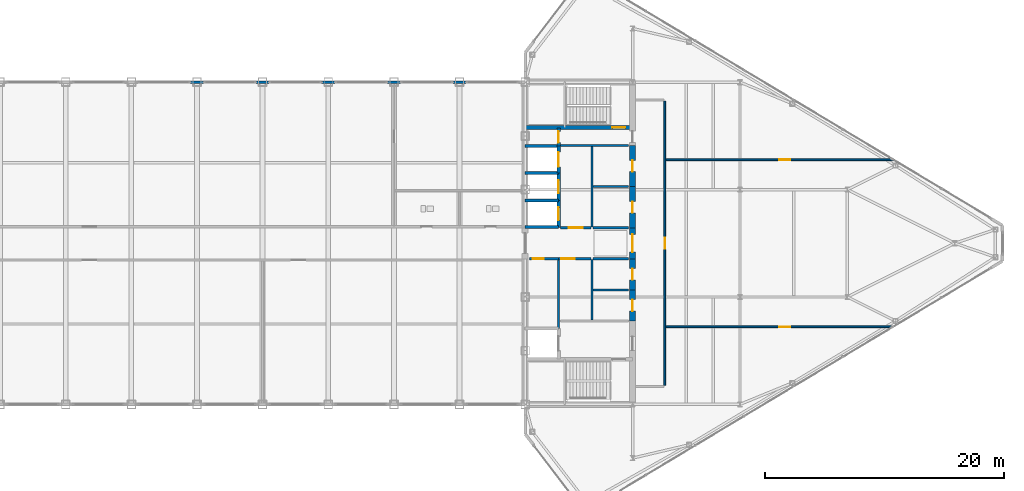
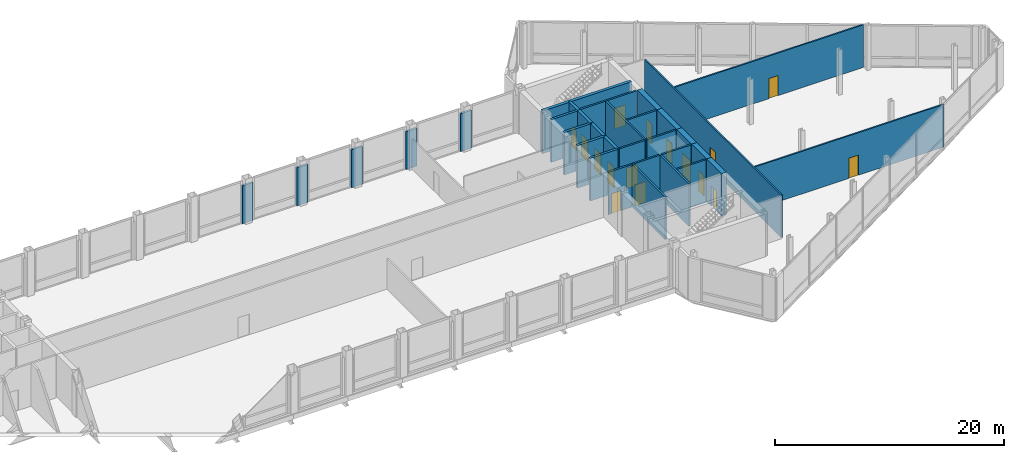
# One storey, part 25 of 29: 33 walls, 16 doors, 16 openings.
"""IFC4 building model written with IfcOpenShell, lengths in metres."""

from ifc_helpers import new_model, si_unit, direction, frame, frame_2d, origin, place, context, subcontext, project, spatial, rectangle, extrude, source, transform, mapped, material, layer, layer_set, type_object, type_shapes, element, fill, save


model = new_model("IFC4")

# Units and contexts
model_context = context("Model", 3, precision=1e-05, world=origin(), true_north=direction((0.0, 1.0)))
body_context = subcontext(model_context, "Body", "Model", "MODEL_VIEW")
ifc_project = project(units=[si_unit("LENGTHUNIT", "METRE"), si_unit("AREAUNIT", "SQUARE_METRE"), si_unit("VOLUMEUNIT", "CUBIC_METRE"), si_unit("PLANEANGLEUNIT", "RADIAN"), si_unit("MASSUNIT", "GRAM", prefix="KILO")], contexts=[model_context])

# Site, building, storey
site_placement = place(None, origin())
site = spatial("IfcSite", under=ifc_project, at=site_placement, CompositionType="ELEMENT")
building_placement = place(site_placement, origin())
building = spatial("IfcBuilding", under=site, at=building_placement, Name="Seokmaru Belvedere", CompositionType="ELEMENT")
storey_placement = place(building_placement, frame((0.0, 0.0, 269.39990234375)))
storey = spatial("IfcBuildingStorey", under=building, at=storey_placement, Name="L71", CompositionType="ELEMENT", Elevation=269.39990234375)

# Wall, opening, door
ifc_material_1 = material(Name="Fire-Rated Gypsum Shaftwall")
ifc_layer_1 = layer(ifc_material_1, 0.14990234375)
ifc_layer_set_1 = layer_set([ifc_layer_1], Name="Fire-Rated Gypsum Shaftwall")
wall_type_1 = type_object("IfcWallType", Name="Apartment Fire-Acoustic Room Partition 150", PredefinedType="PARTITIONING", material=ifc_layer_set_1)
wall_1_placement = place(storey_placement, frame((39.284912109375, -7.0, 0.0), z_axis=(0.0, 0.0, 1.0), x_axis=(1.0, 0.0, 0.0)))
wall_1 = element("IfcWall", 1, at=wall_1_placement, inside=storey, type_object=wall_type_1, Name="L71 Interior Partition 004", PredefinedType="PARTITIONING", context=body_context, shape_type="SweptSolid", body=[
    extrude(rectangle(XDim=19.05810546875, YDim=0.14990234375, at=frame_2d((9.529052734375, 0.0))), origin(), (0.0, 0.0, 1.0), 4.5400390625),
])
opening_1_placement = place(wall_1_placement, frame((9.489990234375, 0.0, 0.0)))
opening_1 = element("IfcOpeningElement", 2, at=opening_1_placement, cuts=wall_1, Name="Opening D05", PredefinedType="OPENING", context=body_context, shape_type="SweptSolid", body=[
    extrude(rectangle(XDim=0.949951171875, YDim=2.14990234375, at=frame_2d((0.47509765625, 1.074951171875))), frame((0.0, 0.0849609375, 0.0), z_axis=(0.0, -1.0, 0.0), x_axis=(1.0, 0.0, 0.0)), (0.0, 0.0, 1.0), 0.169921875),
])
ifc_material_2 = material(Name="Engineered White Oak Timber", Category="wood")
door_type_1 = type_object("IfcDoorType", Name="Apartment Interior Fire-Rated Oak Door 950x2150", OperationType="NOTDEFINED", PredefinedType="DOOR", material=ifc_material_2)
shared_shape_1 = source(origin(), body_context, "Body", "SweptSolid", [
    extrude(rectangle(XDim=0.949951171875, YDim=2.14990234375, at=frame_2d((0.47509765625, 1.074951171875))), frame((0.0, 0.02490234375, 0.0), z_axis=(0.0, -1.0, 0.0), x_axis=(1.0, 0.0, 0.0)), (0.0, 0.0, 1.0), 0.050048828125),
])
type_shapes(door_type_1, [shared_shape_1])
door_1_placement = place(opening_1_placement, origin())
door_1 = element("IfcDoor", 3, at=door_1_placement, inside=storey, type_object=door_type_1, Name="L71 Interior Door 005", OperationType="SINGLE_SWING_LEFT", OverallHeight=2.14990234375, OverallWidth=0.949951171875, PredefinedType="DOOR", context=body_context, shape_type="MappedRepresentation", body=[
    mapped(shared_shape_1, transform((0.0, 0.0, 0.0), scale=1.0)),
])
fill(opening_1, door_1)

wall_2_placement = place(storey_placement, frame((39.284912109375, 7.0, 0.0), z_axis=(0.0, 0.0, 1.0), x_axis=(1.0, 0.0, 0.0)))
wall_2 = element("IfcWall", 4, at=wall_2_placement, inside=storey, type_object=wall_type_1, Name="L71 Interior Partition 009", PredefinedType="PARTITIONING", context=body_context, shape_type="SweptSolid", body=[
    extrude(rectangle(XDim=19.05810546875, YDim=0.14990234375, at=frame_2d((9.529052734375, 0.0))), origin(), (0.0, 0.0, 1.0), 4.5400390625),
])
opening_2_placement = place(wall_2_placement, frame((9.489990234375, 0.0, 0.0)))
opening_2 = element("IfcOpeningElement", 5, at=opening_2_placement, cuts=wall_2, Name="Opening D05", PredefinedType="OPENING", context=body_context, shape_type="SweptSolid", body=[
    extrude(rectangle(XDim=0.949951171875, YDim=2.14990234375, at=frame_2d((0.47509765625, 1.074951171875))), frame((0.0, 0.0849609375, 0.0), z_axis=(0.0, -1.0, 0.0), x_axis=(1.0, 0.0, 0.0)), (0.0, 0.0, 1.0), 0.169921875),
])
door_2_placement = place(opening_2_placement, origin())
door_2 = element("IfcDoor", 6, at=door_2_placement, inside=storey, type_object=door_type_1, Name="L71 Interior Door 006", OperationType="SINGLE_SWING_RIGHT", OverallHeight=2.14990234375, OverallWidth=0.949951171875, PredefinedType="DOOR", context=body_context, shape_type="MappedRepresentation", body=[
    mapped(shared_shape_1, transform((0.0, 0.0, 0.0), scale=1.0)),
])
fill(opening_2, door_2)

wall_3_placement = place(storey_placement, frame((39.199951171875, -11.9150390625, 0.0), z_axis=(0.0, 0.0, 1.0), x_axis=(0.0, 1.0, 0.0)))
wall_3 = element("IfcWall", 7, at=wall_3_placement, inside=storey, type_object=wall_type_1, Name="L71 Interior Partition 016", PredefinedType="PARTITIONING", context=body_context, shape_type="SweptSolid", body=[
    extrude(rectangle(XDim=23.830078125, YDim=0.14990234375, at=frame_2d((11.9150390625, 0.0))), origin(), (0.0, 0.0, 1.0), 4.5400390625),
])
opening_3_placement = place(wall_3_placement, frame((11.43994140625, 0.0, 0.0)))
opening_3 = element("IfcOpeningElement", 8, at=opening_3_placement, cuts=wall_3, Name="Opening D05", PredefinedType="OPENING", context=body_context, shape_type="SweptSolid", body=[
    extrude(rectangle(XDim=0.949951171875, YDim=2.14990234375, at=frame_2d((0.47509765625, 1.074951171875))), frame((0.0, 0.0849609375, 0.0), z_axis=(0.0, -1.0, 0.0), x_axis=(1.0, 0.0, 0.0)), (0.0, 0.0, 1.0), 0.169921875),
])
door_3_placement = place(opening_3_placement, origin())
door_3 = element("IfcDoor", 9, at=door_3_placement, inside=storey, type_object=door_type_1, Name="L71 Interior Door 004", OperationType="SINGLE_SWING_RIGHT", OverallHeight=2.14990234375, OverallWidth=0.949951171875, PredefinedType="DOOR", context=body_context, shape_type="MappedRepresentation", body=[
    mapped(shared_shape_1, transform((0.0, 0.0, 0.0), scale=1.0)),
])
fill(opening_3, door_3)

# Walls
ifc_material_3 = material(Name="Anodised Bronze Aluminium", Category="aluminium")
ifc_layer_2 = layer(ifc_material_3, 0.2099609375)
ifc_layer_set_2 = layer_set([ifc_layer_2], Name="Anodised Bronze Aluminium")
wall_type_2 = type_object("IfcWallType", Name="Bridge Column Spandrel Closure Pier 210", PredefinedType="SOLIDWALL", material=ifc_layer_set_2)
for number, where, z_axis, x_axis, name in (
    (10, (-0.550048828125, 13.5, 0.0), (0.0, 0.0, 1.0), (1.0, 0.0, 0.0), "L71 Bridge North Column Closure Pier 06"),
    (11, (4.949951171875, 13.5, 0.0), (0.0, 0.0, 1.0), (1.0, 0.0, 0.0), "L71 Bridge North Column Closure Pier 07"),
    (12, (10.449951171875, 13.5, 0.0), (0.0, 0.0, 1.0), (1.0, 0.0, 0.0), "L71 Bridge North Column Closure Pier 08"),
    (13, (15.949951171875, 13.5, 0.0), (0.0, 0.0, 1.0), (1.0, 0.0, 0.0), "L71 Bridge North Column Closure Pier 09"),
    (14, (21.449951171875, 13.5, 0.0), (0.0, 0.0, 1.0), (1.0, 0.0, 0.0), "L71 Bridge North Column Closure Pier 10"),
):
    element("IfcWall", number, at=place(storey_placement, frame(where, z_axis=z_axis, x_axis=x_axis)), inside=storey, type_object=wall_type_2, Name=name, PredefinedType="SOLIDWALL", context=body_context, shape_type="SweptSolid", body=[
        extrude(rectangle(XDim=1.10009765625, YDim=0.2099609375, at=frame_2d((0.550048828125, 0.0))), origin(), (0.0, 0.0, 1.0), 4.0400390625),
    ])
ifc_layer_3 = layer(ifc_material_1, 0.179931640625)
ifc_layer_set_3 = layer_set([ifc_layer_3], Name="Fire-Rated Gypsum Shaftwall")
wall_type_3 = type_object("IfcWallType", Name="Core Service Fire Partition 180", PredefinedType="PARTITIONING", material=ifc_layer_set_3)
wall_4_placement = place(storey_placement, frame((30.449951171875, 8.199951171875, 0.0), z_axis=(0.0, 0.0, 1.0), x_axis=(1.0, 0.0, 0.0)))
element("IfcWall", 15, at=wall_4_placement, inside=storey, type_object=wall_type_3, Name="L71 East Smokeproof Vestibule Partition", PredefinedType="PARTITIONING", context=body_context, shape_type="SweptSolid", body=[
    extrude(rectangle(XDim=5.699951171875, YDim=0.179931640625, at=frame_2d((2.85009765625, 0.0))), origin(), (0.0, 0.0, 1.0), 4.5400390625),
])
wall_5_placement = place(storey_placement, frame((33.10009765625, -6.419921875, 0.0), z_axis=(0.0, 0.0, 1.0), x_axis=(0.0, 1.0, 0.0)))
element("IfcWall", 16, at=wall_5_placement, inside=storey, type_object=wall_type_3, Name="L71 East South Core Service Back Wall", PredefinedType="PARTITIONING", context=body_context, shape_type="SweptSolid", body=[
    extrude(rectangle(XDim=5.0400390625, YDim=0.179931640625, at=frame_2d((2.52001953125, 0.0))), origin(), (0.0, 0.0, 1.0), 4.5400390625),
])
wall_6_placement = place(storey_placement, frame((33.10009765625, 1.3798828125, 0.0), z_axis=(0.0, 0.0, 1.0), x_axis=(0.0, 1.0, 0.0)))
element("IfcWall", 17, at=wall_6_placement, inside=storey, type_object=wall_type_3, Name="L71 East North Core Service Back Wall", PredefinedType="PARTITIONING", context=body_context, shape_type="SweptSolid", body=[
    extrude(rectangle(XDim=6.740234375, YDim=0.179931640625, at=frame_2d((3.3701171875, 0.0))), origin(), (0.0, 0.0, 1.0), 4.5400390625),
])

# Wall, opening, door
wall_7_placement = place(storey_placement, frame((27.85009765625, -1.300048828125, 0.0), z_axis=(0.0, 0.0, 1.0), x_axis=(1.0, 0.0, 0.0)))
wall_7 = element("IfcWall", 18, at=wall_7_placement, inside=storey, type_object=wall_type_3, Name="L71 East South Parcel Vault Foyer Wall", PredefinedType="PARTITIONING", context=body_context, shape_type="SweptSolid", body=[
    extrude(rectangle(XDim=2.449951171875, YDim=0.179931640625, at=frame_2d((1.22509765625, 0.0))), origin(), (0.0, 0.0, 1.0), 4.5400390625),
])
opening_4_placement = place(wall_7_placement, frame((0.27490234375, 0.0, 0.0)))
opening_4 = element("IfcOpeningElement", 19, at=opening_4_placement, cuts=wall_7, Name="Opening D04", PredefinedType="OPENING", context=body_context, shape_type="SweptSolid", body=[
    extrude(rectangle(XDim=0.949951171875, YDim=2.14990234375, at=frame_2d((0.47509765625, 1.074951171875))), frame((0.0, 0.10009765625, 0.0), z_axis=(0.0, -1.0, 0.0), x_axis=(1.0, 0.0, 0.0)), (0.0, 0.0, 1.0), 0.199951171875),
])
ifc_material_4 = material(Name="Fire-Rated Steel Leaf", Category="steel")
door_type_2 = type_object("IfcDoorType", Name="Core Service Room Fire Door 950x2150", OperationType="NOTDEFINED", PredefinedType="DOOR", material=ifc_material_4)
shared_shape_2 = source(origin(), body_context, "Body", "SweptSolid", [
    extrude(rectangle(XDim=0.949951171875, YDim=2.14990234375, at=frame_2d((0.47509765625, 1.074951171875))), frame((0.0, 0.02490234375, 0.0), z_axis=(0.0, -1.0, 0.0), x_axis=(1.0, 0.0, 0.0)), (0.0, 0.0, 1.0), 0.050048828125),
])
type_shapes(door_type_2, [shared_shape_2])
door_4_placement = place(opening_4_placement, origin())
door_4 = element("IfcDoor", 20, at=door_4_placement, inside=storey, type_object=door_type_2, Name="L71 East South Parcel Vault Door", OperationType="SINGLE_SWING_RIGHT", OverallHeight=2.14990234375, OverallWidth=0.949951171875, PredefinedType="DOOR", context=body_context, shape_type="MappedRepresentation", body=[
    mapped(shared_shape_2, transform((0.0, 0.0, 0.0), scale=1.0)),
])
fill(opening_4, door_4)

wall_8_placement = place(storey_placement, frame((30.300048828125, -1.300048828125, 0.0), z_axis=(0.0, 0.0, 1.0), x_axis=(1.0, 0.0, 0.0)))
wall_8 = element("IfcWall", 21, at=wall_8_placement, inside=storey, type_object=wall_type_3, Name="L71 East South Wine Cellar Foyer Wall", PredefinedType="PARTITIONING", context=body_context, shape_type="SweptSolid", body=[
    extrude(rectangle(XDim=2.719970703125, YDim=0.179931640625, at=frame_2d((1.35986328125, 0.0))), origin(), (0.0, 0.0, 1.0), 4.5400390625),
])
opening_5_placement = place(wall_8_placement, frame((0.2099609375, 0.0, 0.0)))
opening_5 = element("IfcOpeningElement", 22, at=opening_5_placement, cuts=wall_8, Name="Opening D02", PredefinedType="OPENING", context=body_context, shape_type="SweptSolid", body=[
    extrude(rectangle(XDim=1.14990234375, YDim=2.199951171875, at=frame_2d((0.574951171875, 1.10009765625))), frame((0.0, 0.10009765625, 0.0), z_axis=(0.0, -1.0, 0.0), x_axis=(1.0, 0.0, 0.0)), (0.0, 0.0, 1.0), 0.199951171875),
])
door_type_3 = type_object("IfcDoorType", Name="Lobby and Vestibule Fire Door 1150x2200", OperationType="NOTDEFINED", PredefinedType="DOOR", material=ifc_material_4)
shared_shape_3 = source(origin(), body_context, "Body", "SweptSolid", [
    extrude(rectangle(XDim=1.14990234375, YDim=2.199951171875, at=frame_2d((0.574951171875, 1.10009765625))), frame((0.0, 0.02490234375, 0.0), z_axis=(0.0, -1.0, 0.0), x_axis=(1.0, 0.0, 0.0)), (0.0, 0.0, 1.0), 0.050048828125),
])
type_shapes(door_type_3, [shared_shape_3])
door_5_placement = place(opening_5_placement, origin())
door_5 = element("IfcDoor", 23, at=door_5_placement, inside=storey, type_object=door_type_3, Name="L71 East South Core Foyer Door", OperationType="SINGLE_SWING_RIGHT", OverallHeight=2.199951171875, OverallWidth=1.14990234375, PredefinedType="DOOR", context=body_context, shape_type="MappedRepresentation", body=[
    mapped(shared_shape_3, transform((0.0, 0.0, 0.0), scale=1.0)),
])
fill(opening_5, door_5)

# Wall
wall_9_placement = place(storey_placement, frame((30.300048828125, -7.1201171875, 0.0), z_axis=(0.0, 0.0, 1.0), x_axis=(0.0, 1.0, 0.0)))
element("IfcWall", 24, at=wall_9_placement, inside=storey, type_object=wall_type_3, Name="L71 East Freed Shaft Vault Partition", PredefinedType="PARTITIONING", context=body_context, shape_type="SweptSolid", body=[
    extrude(rectangle(XDim=5.740234375, YDim=0.179931640625, at=frame_2d((2.8701171875, 0.0))), origin(), (0.0, 0.0, 1.0), 4.5400390625),
])

# Wall, opening, door
wall_10_placement = place(storey_placement, frame((30.449951171875, 1.300048828125, 0.0), z_axis=(0.0, 0.0, 1.0), x_axis=(1.0, 0.0, 0.0)))
wall_10 = element("IfcWall", 25, at=wall_10_placement, inside=storey, type_object=wall_type_3, Name="L71 East North Lift Lobby Foyer Wall", PredefinedType="PARTITIONING", context=body_context, shape_type="SweptSolid", body=[
    extrude(rectangle(XDim=2.570068359375, YDim=0.179931640625, at=frame_2d((1.28515625, 0.0))), origin(), (0.0, 0.0, 1.0), 4.5400390625),
])
opening_6_placement = place(wall_10_placement, frame((0.7099609375, 0.0, 0.0)))
opening_6 = element("IfcOpeningElement", 26, at=opening_6_placement, cuts=wall_10, Name="Opening D02", PredefinedType="OPENING", context=body_context, shape_type="SweptSolid", body=[
    extrude(rectangle(XDim=1.14990234375, YDim=2.199951171875, at=frame_2d((0.574951171875, 1.10009765625))), frame((0.0, 0.10009765625, 0.0), z_axis=(0.0, -1.0, 0.0), x_axis=(1.0, 0.0, 0.0)), (0.0, 0.0, 1.0), 0.199951171875),
])
door_6_placement = place(opening_6_placement, origin())
door_6 = element("IfcDoor", 27, at=door_6_placement, inside=storey, type_object=door_type_3, Name="L71 East North Lift Lobby Door", OperationType="SINGLE_SWING_LEFT", OverallHeight=2.199951171875, OverallWidth=1.14990234375, PredefinedType="DOOR", context=body_context, shape_type="MappedRepresentation", body=[
    mapped(shared_shape_3, transform((0.0, 0.0, 0.0), scale=1.0)),
])
fill(opening_6, door_6)

# Walls
for number, where, z_axis, x_axis, name in (
    (28, (33.199951171875, -1.300048828125, 0.0), (0.0, 0.0, 1.0), (1.0, 0.0, 0.0), "L71 East Foyer Side Wall S"),
    (29, (33.199951171875, 1.300048828125, 0.0), (0.0, 0.0, 1.0), (1.0, 0.0, 0.0), "L71 East Foyer Side Wall N"),
    (30, (33.199951171875, -3.89990234375, 0.0), (0.0, 0.0, 1.0), (1.0, 0.0, 0.0), "L71 East Core Service Partition 1"),
    (31, (33.199951171875, 4.75, 0.0), (0.0, 0.0, 1.0), (1.0, 0.0, 0.0), "L71 East Core Service Partition 2"),
):
    element("IfcWall", number, at=place(storey_placement, frame(where, z_axis=z_axis, x_axis=x_axis)), inside=storey, type_object=wall_type_3, Name=name, PredefinedType="PARTITIONING", context=body_context, shape_type="SweptSolid", body=[
        extrude(rectangle(XDim=2.949951171875, YDim=0.179931640625, at=frame_2d((1.47509765625, 0.0))), origin(), (0.0, 0.0, 1.0), 4.5400390625),
    ])
ifc_material_5 = material(Name="Concrete C50 (50 MPa)", Category="concrete")
ifc_layer_4 = layer(ifc_material_5, 0.25)
ifc_layer_set_4 = layer_set([ifc_layer_4], Name="Concrete C50 (50 MPa)")
wall_type_4 = type_object("IfcWallType", Name="Hoistway Transverse Concrete Divider Wall 250", PredefinedType="SHEAR", material=ifc_layer_set_4)
for number, where, z_axis, x_axis, name in (
    (32, (27.5, 1.35009765625, 0.0), (0.0, 0.0, 1.0), (1.0, 0.0, 0.0), "L71 East Hoistway Divider Core Wall 2"),
    (33, (27.5, 3.60009765625, 0.0), (0.0, 0.0, 1.0), (1.0, 0.0, 0.0), "L71 East Hoistway Divider Core Wall 3"),
    (34, (27.5, 5.89990234375, 0.0), (0.0, 0.0, 1.0), (1.0, 0.0, 0.0), "L71 East Hoistway Divider Core Wall 4"),
    (35, (27.5, 8.14990234375, 0.0), (0.0, 0.0, 1.0), (1.0, 0.0, 0.0), "L71 East Hoistway Divider Core Wall 5"),
):
    element("IfcWall", number, at=place(storey_placement, frame(where, z_axis=z_axis, x_axis=x_axis)), inside=storey, type_object=wall_type_4, Name=name, PredefinedType="SHEAR", context=body_context, shape_type="SweptSolid", body=[
        extrude(rectangle(XDim=2.800048828125, YDim=0.25, at=frame_2d((1.39990234375, 0.0))), origin(), (0.0, 0.0, 1.0), 4.5400390625),
    ])

# Wall, opening, door
ifc_layer_5 = layer(ifc_material_5, 0.300048828125)
ifc_layer_set_5 = layer_set([ifc_layer_5], Name="Concrete C50 (50 MPa)")
wall_type_5 = type_object("IfcWallType", Name="Internal Core Stair and Hoistway Wall 300", PredefinedType="SHEAR", material=ifc_layer_set_5)
wall_11_placement = place(storey_placement, frame((27.5, 9.699951171875, 0.0), z_axis=(0.0, 0.0, 1.0), x_axis=(1.0, 0.0, 0.0)))
wall_11 = element("IfcWall", 36, at=wall_11_placement, inside=storey, type_object=wall_type_5, Name="L71 East Stair ST-2 Enclosure Wall", PredefinedType="SHEAR", context=body_context, shape_type="SweptSolid", body=[
    extrude(rectangle(XDim=9.0, YDim=0.300048828125, at=frame_2d((4.5, 0.0))), origin(), (0.0, 0.0, 1.0), 4.5400390625),
])
opening_7_placement = place(wall_11_placement, frame((7.300048828125, 0.0, 0.0)))
opening_7 = element("IfcOpeningElement", 37, at=opening_7_placement, cuts=wall_11, Name="Opening D01", PredefinedType="OPENING", context=body_context, shape_type="SweptSolid", body=[
    extrude(rectangle(XDim=1.10009765625, YDim=2.199951171875, at=frame_2d((0.550048828125, 1.10009765625))), frame((0.0, 0.16015625, 0.0), z_axis=(0.0, -1.0, 0.0), x_axis=(1.0, 0.0, 0.0)), (0.0, 0.0, 1.0), 0.320068359375),
])
door_type_4 = type_object("IfcDoorType", Name="Special Escape Stair Smokeproof Fire Door 1100x2200", OperationType="NOTDEFINED", PredefinedType="DOOR", material=ifc_material_4)
shared_shape_4 = source(origin(), body_context, "Body", "SweptSolid", [
    extrude(rectangle(XDim=1.10009765625, YDim=2.199951171875, at=frame_2d((0.550048828125, 1.10009765625))), frame((0.0, 0.02490234375, 0.0), z_axis=(0.0, -1.0, 0.0), x_axis=(1.0, 0.0, 0.0)), (0.0, 0.0, 1.0), 0.050048828125),
])
type_shapes(door_type_4, [shared_shape_4])
door_7_placement = place(opening_7_placement, origin())
door_7 = element("IfcDoor", 38, at=door_7_placement, inside=storey, type_object=door_type_4, Name="L71 East Special Escape Stair ST-2 Door", OperationType="SINGLE_SWING_LEFT", OverallHeight=2.199951171875, OverallWidth=1.10009765625, PredefinedType="DOOR", context=body_context, shape_type="MappedRepresentation", body=[
    mapped(shared_shape_4, transform((0.0, 0.0, 0.0), scale=1.0)),
])
fill(opening_7, door_7)

wall_12_placement = place(storey_placement, frame((30.300048828125, 1.320068359375, 0.0), z_axis=(0.0, 0.0, 1.0), x_axis=(0.0, 1.0, 0.0)))
wall_12 = element("IfcWall", 39, at=wall_12_placement, inside=storey, type_object=wall_type_5, Name="L71 East North Hoistway Wall PH1", PredefinedType="SHEAR", context=body_context, shape_type="SweptSolid", body=[
    extrude(rectangle(XDim=2.280029296875, YDim=0.300048828125, at=frame_2d((1.14013671875, 0.0))), origin(), (0.0, 0.0, 1.0), 4.5400390625),
])
opening_8_placement = place(wall_12_placement, frame((0.590087890625, 0.0, 0.0)))
opening_8 = element("IfcOpeningElement", 40, at=opening_8_placement, cuts=wall_12, Name="Opening LD1", PredefinedType="OPENING", context=body_context, shape_type="SweptSolid", body=[
    extrude(rectangle(XDim=1.10009765625, YDim=2.199951171875, at=frame_2d((0.550048828125, 1.10009765625))), frame((0.0, 0.16015625, 0.0), z_axis=(0.0, -1.0, 0.0), x_axis=(1.0, 0.0, 0.0)), (0.0, 0.0, 1.0), 0.320068359375),
])
ifc_material_6 = material(Name="Stainless Steel 316", Category="steel")
door_type_5 = type_object("IfcDoorType", Name="Passenger Lift Sliding Landing Door 1100x2200", OperationType="DOUBLE_DOOR_SLIDING", PredefinedType="DOOR", material=ifc_material_6)
shared_shape_5 = source(origin(), body_context, "Body", "SweptSolid", [
    extrude(rectangle(XDim=1.10009765625, YDim=2.199951171875, at=frame_2d((0.550048828125, 1.10009765625))), frame((0.0, 0.02490234375, 0.0), z_axis=(0.0, -1.0, 0.0), x_axis=(1.0, 0.0, 0.0)), (0.0, 0.0, 1.0), 0.050048828125),
])
type_shapes(door_type_5, [shared_shape_5])
door_8_placement = place(opening_8_placement, origin())
door_8 = element("IfcDoor", 41, at=door_8_placement, inside=storey, type_object=door_type_5, Name="L71 East High-Rise Lift PH-1 Landing Door", OperationType="DOUBLE_DOOR_SLIDING", OverallHeight=2.199951171875, OverallWidth=1.10009765625, PredefinedType="DOOR", context=body_context, shape_type="MappedRepresentation", body=[
    mapped(shared_shape_5, transform((0.0, 0.0, 0.0), scale=1.0)),
])
fill(opening_8, door_8)

wall_13_placement = place(storey_placement, frame((30.300048828125, 3.60009765625, 0.0), z_axis=(0.0, 0.0, 1.0), x_axis=(0.0, 1.0, 0.0)))
wall_13 = element("IfcWall", 42, at=wall_13_placement, inside=storey, type_object=wall_type_5, Name="L71 East North Hoistway Wall PH2", PredefinedType="SHEAR", context=body_context, shape_type="SweptSolid", body=[
    extrude(rectangle(XDim=2.2998046875, YDim=0.300048828125, at=frame_2d((1.14990234375, 0.0))), origin(), (0.0, 0.0, 1.0), 4.5400390625),
])
opening_9_placement = place(wall_13_placement, frame((0.60009765625, 0.0, 0.0)))
opening_9 = element("IfcOpeningElement", 43, at=opening_9_placement, cuts=wall_13, Name="Opening LD1", PredefinedType="OPENING", context=body_context, shape_type="SweptSolid", body=[
    extrude(rectangle(XDim=1.10009765625, YDim=2.199951171875, at=frame_2d((0.550048828125, 1.10009765625))), frame((0.0, 0.16015625, 0.0), z_axis=(0.0, -1.0, 0.0), x_axis=(1.0, 0.0, 0.0)), (0.0, 0.0, 1.0), 0.320068359375),
])
door_9_placement = place(opening_9_placement, origin())
door_9 = element("IfcDoor", 44, at=door_9_placement, inside=storey, type_object=door_type_5, Name="L71 East High-Rise Lift PH-2 Landing Door", OperationType="DOUBLE_DOOR_SLIDING", OverallHeight=2.199951171875, OverallWidth=1.10009765625, PredefinedType="DOOR", context=body_context, shape_type="MappedRepresentation", body=[
    mapped(shared_shape_5, transform((0.0, 0.0, 0.0), scale=1.0)),
])
fill(opening_9, door_9)

wall_14_placement = place(storey_placement, frame((30.300048828125, 5.89990234375, 0.0), z_axis=(0.0, 0.0, 1.0), x_axis=(0.0, 1.0, 0.0)))
wall_14 = element("IfcWall", 45, at=wall_14_placement, inside=storey, type_object=wall_type_5, Name="L71 East North Hoistway Wall OBS", PredefinedType="SHEAR", context=body_context, shape_type="SweptSolid", body=[
    extrude(rectangle(XDim=2.25, YDim=0.300048828125, at=frame_2d((1.125, 0.0))), origin(), (0.0, 0.0, 1.0), 4.5400390625),
])
opening_10_placement = place(wall_14_placement, frame((0.4951171875, 0.0, 0.0)))
opening_10 = element("IfcOpeningElement", 46, at=opening_10_placement, cuts=wall_14, Name="Opening LD3", PredefinedType="OPENING", context=body_context, shape_type="SweptSolid", body=[
    extrude(rectangle(XDim=1.25, YDim=2.300048828125, at=frame_2d((0.625, 1.14990234375))), frame((0.0, 0.16015625, 0.0), z_axis=(0.0, -1.0, 0.0), x_axis=(1.0, 0.0, 0.0)), (0.0, 0.0, 1.0), 0.320068359375),
])
door_type_6 = type_object("IfcDoorType", Name="Observatory Shuttle Sliding Landing Door 1250x2300", OperationType="DOUBLE_DOOR_SLIDING", PredefinedType="DOOR", material=ifc_material_6)
shared_shape_6 = source(origin(), body_context, "Body", "SweptSolid", [
    extrude(rectangle(XDim=1.25, YDim=2.300048828125, at=frame_2d((0.625, 1.14990234375))), frame((0.0, 0.02490234375, 0.0), z_axis=(0.0, -1.0, 0.0), x_axis=(1.0, 0.0, 0.0)), (0.0, 0.0, 1.0), 0.050048828125),
])
type_shapes(door_type_6, [shared_shape_6])
door_10_placement = place(opening_10_placement, origin())
door_10 = element("IfcDoor", 47, at=door_10_placement, inside=storey, type_object=door_type_6, Name="L71 East Express Observatory Lift Landing Door", OperationType="DOUBLE_DOOR_SLIDING", OverallHeight=2.300048828125, OverallWidth=1.25, PredefinedType="DOOR", context=body_context, shape_type="MappedRepresentation", body=[
    mapped(shared_shape_6, transform((0.0, 0.0, 0.0), scale=1.0)),
])
fill(opening_10, door_10)

wall_15_placement = place(storey_placement, frame((30.300048828125, 8.14990234375, 0.0), z_axis=(0.0, 0.0, 1.0), x_axis=(0.0, 1.0, 0.0)))
wall_15 = element("IfcWall", 48, at=wall_15_placement, inside=storey, type_object=wall_type_5, Name="L71 East Electrical Riser Front Wall", PredefinedType="SHEAR", context=body_context, shape_type="SweptSolid", body=[
    extrude(rectangle(XDim=1.530029296875, YDim=0.300048828125, at=frame_2d((0.76513671875, 0.0))), origin(), (0.0, 0.0, 1.0), 4.5400390625),
])
opening_11_placement = place(wall_15_placement, frame((0.284912109375, 0.0, 0.0)))
opening_11 = element("IfcOpeningElement", 49, at=opening_11_placement, cuts=wall_15, Name="Opening D04", PredefinedType="OPENING", context=body_context, shape_type="SweptSolid", body=[
    extrude(rectangle(XDim=0.949951171875, YDim=2.14990234375, at=frame_2d((0.47509765625, 1.074951171875))), frame((0.0, 0.16015625, 0.0), z_axis=(0.0, -1.0, 0.0), x_axis=(1.0, 0.0, 0.0)), (0.0, 0.0, 1.0), 0.320068359375),
])
door_11_placement = place(opening_11_placement, origin())
door_11 = element("IfcDoor", 50, at=door_11_placement, inside=storey, type_object=door_type_2, Name="L71 East Electrical Riser Access Door", OperationType="SINGLE_SWING_RIGHT", OverallHeight=2.14990234375, OverallWidth=0.949951171875, PredefinedType="DOOR", context=body_context, shape_type="MappedRepresentation", body=[
    mapped(shared_shape_2, transform((0.0, 0.0, 0.0), scale=1.0)),
])
fill(opening_11, door_11)

ifc_layer_6 = layer(ifc_material_5, 0.5)
ifc_layer_set_6 = layer_set([ifc_layer_6], Name="Concrete C50 (50 MPa)")
wall_type_6 = type_object("IfcWallType", Name="Upper Tower Reinforced Concrete Core Wall 500", PredefinedType="SHEAR", material=ifc_layer_set_6)
wall_16_placement = place(storey_placement, frame((36.5, -1.300048828125, 0.0), z_axis=(0.0, 0.0, 1.0), x_axis=(0.0, 1.0, 0.0)))
wall_16 = element("IfcWall", 51, at=wall_16_placement, inside=storey, type_object=wall_type_6, Name="L71 East West Core Wall FOY", PredefinedType="SHEAR", context=body_context, shape_type="SweptSolid", body=[
    extrude(rectangle(XDim=2.60009765625, YDim=0.5, at=frame_2d((1.300048828125, 0.0))), origin(), (0.0, 0.0, 1.0), 4.5400390625),
])
opening_12_placement = place(wall_16_placement, frame((0.550048828125, 0.0, 0.0)))
opening_12 = element("IfcOpeningElement", 52, at=opening_12_placement, cuts=wall_16, Name="Opening D08", PredefinedType="OPENING", context=body_context, shape_type="SweptSolid", body=[
    extrude(rectangle(XDim=1.5, YDim=2.300048828125, at=frame_2d((0.75, 1.14990234375))), frame((0.0, 0.260009765625, 0.0), z_axis=(0.0, -1.0, 0.0), x_axis=(1.0, 0.0, 0.0)), (0.0, 0.0, 1.0), 0.52001953125),
])
door_type_7 = type_object("IfcDoorType", Name="Cross-Corridor Compartment Double Fire Door 1500x2300", OperationType="DOUBLE_SWING_LEFT", PredefinedType="DOOR", material=ifc_material_4)
shared_shape_7 = source(origin(), body_context, "Body", "SweptSolid", [
    extrude(rectangle(XDim=1.5, YDim=2.300048828125, at=frame_2d((0.75, 1.14990234375))), frame((0.0, 0.02490234375, 0.0), z_axis=(0.0, -1.0, 0.0), x_axis=(1.0, 0.0, 0.0)), (0.0, 0.0, 1.0), 0.050048828125),
])
type_shapes(door_type_7, [shared_shape_7])
door_12_placement = place(opening_12_placement, origin())
door_12 = element("IfcDoor", 53, at=door_12_placement, inside=storey, type_object=door_type_7, Name="L71 East Core Foyer Compartment Door", OperationType="DOUBLE_SWING_LEFT", OverallHeight=2.300048828125, OverallWidth=1.5, PredefinedType="DOOR", context=body_context, shape_type="MappedRepresentation", body=[
    mapped(shared_shape_7, transform((0.0, 0.0, 0.0), scale=1.0)),
])
fill(opening_12, door_12)

wall_17_placement = place(storey_placement, frame((36.5, -6.5, 0.0), z_axis=(0.0, 0.0, 1.0), x_axis=(0.0, 1.0, 0.0)))
wall_17 = element("IfcWall", 54, at=wall_17_placement, inside=storey, type_object=wall_type_6, Name="L71 East West Core Wall CS1", PredefinedType="SHEAR", context=body_context, shape_type="SweptSolid", body=[
    extrude(rectangle(XDim=2.60009765625, YDim=0.5, at=frame_2d((1.300048828125, 0.0))), origin(), (0.0, 0.0, 1.0), 4.5400390625),
])
opening_13_placement = place(wall_17_placement, frame((0.824951171875, 0.0, 0.0)))
opening_13 = element("IfcOpeningElement", 55, at=opening_13_placement, cuts=wall_17, Name="Opening D04", PredefinedType="OPENING", context=body_context, shape_type="SweptSolid", body=[
    extrude(rectangle(XDim=0.949951171875, YDim=2.14990234375, at=frame_2d((0.47509765625, 1.074951171875))), frame((0.0, 0.260009765625, 0.0), z_axis=(0.0, -1.0, 0.0), x_axis=(1.0, 0.0, 0.0)), (0.0, 0.0, 1.0), 0.52001953125),
])
door_13_placement = place(opening_13_placement, origin())
door_13 = element("IfcDoor", 56, at=door_13_placement, inside=storey, type_object=door_type_2, Name="L71 East Core Service Room Door 1", OperationType="SINGLE_SWING_RIGHT", OverallHeight=2.14990234375, OverallWidth=0.949951171875, PredefinedType="DOOR", context=body_context, shape_type="MappedRepresentation", body=[
    mapped(shared_shape_2, transform((0.0, 0.0, 0.0), scale=1.0)),
])
fill(opening_13, door_13)

wall_18_placement = place(storey_placement, frame((36.5, -3.89990234375, 0.0), z_axis=(0.0, 0.0, 1.0), x_axis=(0.0, 1.0, 0.0)))
wall_18 = element("IfcWall", 57, at=wall_18_placement, inside=storey, type_object=wall_type_6, Name="L71 East West Core Wall CS2", PredefinedType="SHEAR", context=body_context, shape_type="SweptSolid", body=[
    extrude(rectangle(XDim=2.599853515625, YDim=0.5, at=frame_2d((1.2998046875, 0.0))), origin(), (0.0, 0.0, 1.0), 4.5400390625),
])
opening_14_placement = place(wall_18_placement, frame((0.824951171875, 0.0, 0.0)))
opening_14 = element("IfcOpeningElement", 58, at=opening_14_placement, cuts=wall_18, Name="Opening D04", PredefinedType="OPENING", context=body_context, shape_type="SweptSolid", body=[
    extrude(rectangle(XDim=0.949951171875, YDim=2.14990234375, at=frame_2d((0.47509765625, 1.074951171875))), frame((0.0, 0.260009765625, 0.0), z_axis=(0.0, -1.0, 0.0), x_axis=(1.0, 0.0, 0.0)), (0.0, 0.0, 1.0), 0.52001953125),
])
door_14_placement = place(opening_14_placement, origin())
door_14 = element("IfcDoor", 59, at=door_14_placement, inside=storey, type_object=door_type_2, Name="L71 East Core Service Room Door 2", OperationType="SINGLE_SWING_LEFT", OverallHeight=2.14990234375, OverallWidth=0.949951171875, PredefinedType="DOOR", context=body_context, shape_type="MappedRepresentation", body=[
    mapped(shared_shape_2, transform((0.0, 0.0, 0.0), scale=1.0)),
])
fill(opening_14, door_14)

wall_19_placement = place(storey_placement, frame((36.5, 1.300048828125, 0.0), z_axis=(0.0, 0.0, 1.0), x_axis=(0.0, 1.0, 0.0)))
wall_19 = element("IfcWall", 60, at=wall_19_placement, inside=storey, type_object=wall_type_6, Name="L71 East West Core Wall CS3", PredefinedType="SHEAR", context=body_context, shape_type="SweptSolid", body=[
    extrude(rectangle(XDim=3.449951171875, YDim=0.5, at=frame_2d((1.72509765625, 0.0))), origin(), (0.0, 0.0, 1.0), 4.5400390625),
])
opening_15_placement = place(wall_19_placement, frame((1.25, 0.0, 0.0)))
opening_15 = element("IfcOpeningElement", 61, at=opening_15_placement, cuts=wall_19, Name="Opening D04", PredefinedType="OPENING", context=body_context, shape_type="SweptSolid", body=[
    extrude(rectangle(XDim=0.949951171875, YDim=2.14990234375, at=frame_2d((0.47509765625, 1.074951171875))), frame((0.0, 0.260009765625, 0.0), z_axis=(0.0, -1.0, 0.0), x_axis=(1.0, 0.0, 0.0)), (0.0, 0.0, 1.0), 0.52001953125),
])
door_15_placement = place(opening_15_placement, origin())
door_15 = element("IfcDoor", 62, at=door_15_placement, inside=storey, type_object=door_type_2, Name="L71 East Core Service Room Door 3", OperationType="SINGLE_SWING_RIGHT", OverallHeight=2.14990234375, OverallWidth=0.949951171875, PredefinedType="DOOR", context=body_context, shape_type="MappedRepresentation", body=[
    mapped(shared_shape_2, transform((0.0, 0.0, 0.0), scale=1.0)),
])
fill(opening_15, door_15)

wall_20_placement = place(storey_placement, frame((36.5, 4.75, 0.0), z_axis=(0.0, 0.0, 1.0), x_axis=(0.0, 1.0, 0.0)))
wall_20 = element("IfcWall", 63, at=wall_20_placement, inside=storey, type_object=wall_type_6, Name="L71 East West Core Wall CS4", PredefinedType="SHEAR", context=body_context, shape_type="SweptSolid", body=[
    extrude(rectangle(XDim=3.449951171875, YDim=0.5, at=frame_2d((1.72509765625, 0.0))), origin(), (0.0, 0.0, 1.0), 4.5400390625),
])
opening_16_placement = place(wall_20_placement, frame((1.25, 0.0, 0.0)))
opening_16 = element("IfcOpeningElement", 64, at=opening_16_placement, cuts=wall_20, Name="Opening D04", PredefinedType="OPENING", context=body_context, shape_type="SweptSolid", body=[
    extrude(rectangle(XDim=0.949951171875, YDim=2.14990234375, at=frame_2d((0.47509765625, 1.074951171875))), frame((0.0, 0.260009765625, 0.0), z_axis=(0.0, -1.0, 0.0), x_axis=(1.0, 0.0, 0.0)), (0.0, 0.0, 1.0), 0.52001953125),
])
door_16_placement = place(opening_16_placement, origin())
door_16 = element("IfcDoor", 65, at=door_16_placement, inside=storey, type_object=door_type_2, Name="L71 East Core Service Room Door 4", OperationType="SINGLE_SWING_LEFT", OverallHeight=2.14990234375, OverallWidth=0.949951171875, PredefinedType="DOOR", context=body_context, shape_type="MappedRepresentation", body=[
    mapped(shared_shape_2, transform((0.0, 0.0, 0.0), scale=1.0)),
])
fill(opening_16, door_16)

save(model, "model.ifc")
